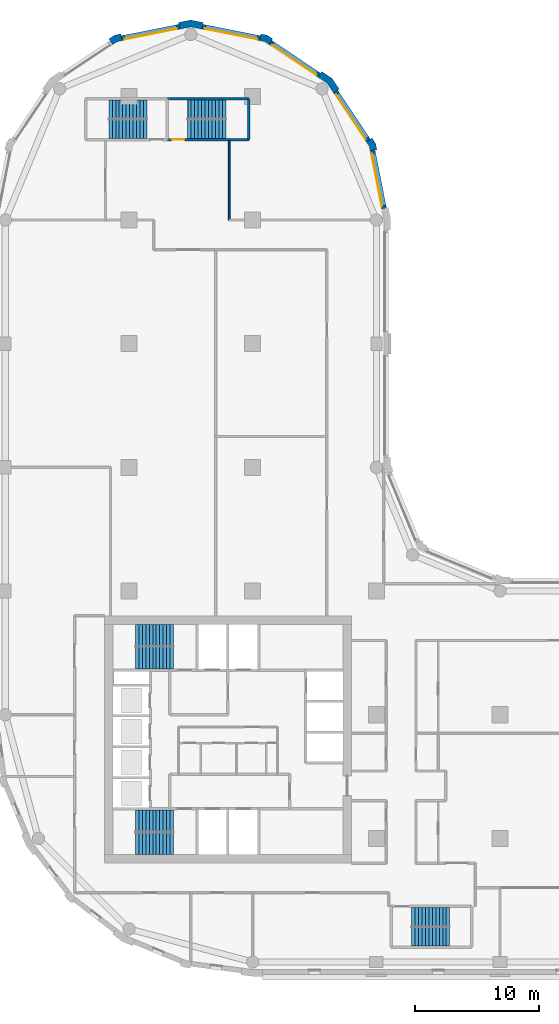
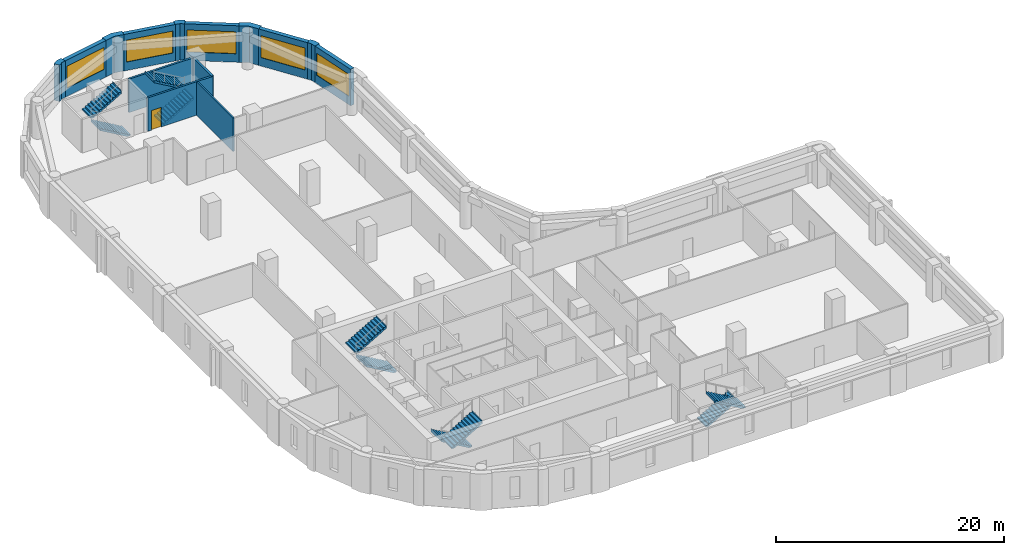
# One storey, part 7 of 9: 14 walls, 10 stair flights, 5 windows, 1 door, 6 openings, 5 elements without a shape of their own.
"""IFC4 building model written with IfcOpenShell, lengths in metres."""

from ifc_helpers import new_model, si_unit, direction, frame, frame_2d, origin, place, context, subcontext, project, spatial, polyline, rectangle, outline, extrude, material, layer, layer_set, type_object, element, fill, aggregate, save


model = new_model("IFC4")

# Units and contexts
model_context = context("Model", 3, precision=1e-05, world=origin(), true_north=direction((0.0, 1.0)))
body_context = subcontext(model_context, "Body", "Model", "MODEL_VIEW")
ifc_project = project(units=[si_unit("LENGTHUNIT", "METRE"), si_unit("AREAUNIT", "SQUARE_METRE"), si_unit("VOLUMEUNIT", "CUBIC_METRE"), si_unit("PLANEANGLEUNIT", "RADIAN"), si_unit("MASSUNIT", "GRAM", prefix="KILO")], contexts=[model_context])

# Site, building, storey
site_placement = place(None, origin())
site = spatial("IfcSite", under=ifc_project, at=site_placement, CompositionType="ELEMENT")
building_placement = place(site_placement, origin())
building = spatial("IfcBuilding", under=site, at=building_placement, Name="Qaws Garden Tower", CompositionType="ELEMENT")
storey_placement = place(building_placement, frame((0.0, 0.0, 170.699951171875)))
storey = spatial("IfcBuildingStorey", under=building, at=storey_placement, Name="L41", CompositionType="ELEMENT", Elevation=170.699951171875)

# Wall, opening, window
ifc_material_1 = material(Name="Clay facing brick masonry", Category="masonry")
ifc_layer_1 = layer(ifc_material_1, 0.39990234375)
ifc_layer_set_1 = layer_set([ifc_layer_1], Name="Clay facing brick masonry")
wall_type_1 = type_object("IfcWallType", Name="Brick infill wall 400", PredefinedType="SOLIDWALL", material=ifc_layer_set_1)
wall_1_placement = place(storey_placement, frame((30.628662109375, 60.940673828125, 0.0), z_axis=(0.0, 0.0, 1.0), x_axis=(-0.195098533057, 0.98078364709, 0.0)))
wall_1 = element("IfcWall", 1, at=wall_1_placement, inside=storey, type_object=wall_type_1, Name="E-L41-infill-13", PredefinedType="SOLIDWALL", context=body_context, shape_type="SweptSolid", body=[
    extrude(rectangle(XDim=4.752685546875, YDim=0.39990234375, at=frame_2d((2.37646484375, 0.0))), origin(), (0.0, 0.0, 1.0), 3.900146484375),
])
opening_1_placement = place(wall_1_placement, frame((0.226318359375, 0.0, 0.89990234375)))
opening_1 = element("IfcOpeningElement", 2, at=opening_1_placement, cuts=wall_1, Name="Opening W06", PredefinedType="OPENING", context=body_context, shape_type="SweptSolid", body=[
    extrude(rectangle(XDim=4.300048828125, YDim=2.35009765625, at=frame_2d((2.14990234375, 1.175048828125))), frame((0.0, 0.2099609375, 0.0), z_axis=(0.0, -1.0, 0.0), x_axis=(1.0, 0.0, 0.0)), (0.0, 0.0, 1.0), 0.419921875),
])
ifc_material_2 = material(Name="Aluminium framed window, clear glazing", Category="aluminium")
window_type = type_object("IfcWindowType", Name="Ribbon window 4300 x 2350", PartitioningType="DOUBLE_PANEL_VERTICAL", PredefinedType="WINDOW", material=ifc_material_2)
window_1_placement = place(opening_1_placement, origin())
window_1 = element("IfcWindow", 3, at=window_1_placement, inside=storey, type_object=window_type, Name="E-L41-window-13-0", OverallHeight=2.35009765625, OverallWidth=4.300048828125, PartitioningType="SINGLE_PANEL", PredefinedType="WINDOW", context=body_context, shape_type="SweptSolid", body=[
    extrude(rectangle(XDim=4.300048828125, YDim=2.35009765625, at=frame_2d((2.14990234375, 1.175048828125))), frame((0.0, 0.159912109375, 0.0), z_axis=(0.0, -1.0, 0.0), x_axis=(1.0, 0.0, 0.0)), (0.0, 0.0, 1.0), 0.06005859375),
])
fill(opening_1, window_1)

wall_2_placement = place(storey_placement, frame((29.356689453125, 66.43408203125, 0.0), z_axis=(0.0, 0.0, 1.0), x_axis=(-0.555541552266, 0.831488775454, 0.0)))
wall_2 = element("IfcWall", 4, at=wall_2_placement, inside=storey, type_object=wall_type_1, Name="E-L41-infill-14", PredefinedType="SOLIDWALL", context=body_context, shape_type="SweptSolid", body=[
    extrude(rectangle(XDim=4.752685546875, YDim=0.39990234375, at=frame_2d((2.37646484375, 0.0))), origin(), (0.0, 0.0, 1.0), 3.900146484375),
])
opening_2_placement = place(wall_2_placement, frame((0.226318359375, 0.0, 0.89990234375)))
opening_2 = element("IfcOpeningElement", 5, at=opening_2_placement, cuts=wall_2, Name="Opening W06", PredefinedType="OPENING", context=body_context, shape_type="SweptSolid", body=[
    extrude(rectangle(XDim=4.300048828125, YDim=2.35009765625, at=frame_2d((2.14990234375, 1.175048828125))), frame((0.0, 0.2099609375, 0.0), z_axis=(0.0, -1.0, 0.0), x_axis=(1.0, 0.0, 0.0)), (0.0, 0.0, 1.0), 0.419921875),
])
window_2_placement = place(opening_2_placement, origin())
window_2 = element("IfcWindow", 6, at=window_2_placement, inside=storey, type_object=window_type, Name="E-L41-window-14-0", OverallHeight=2.35009765625, OverallWidth=4.300048828125, PartitioningType="SINGLE_PANEL", PredefinedType="WINDOW", context=body_context, shape_type="SweptSolid", body=[
    extrude(rectangle(XDim=4.300048828125, YDim=2.35009765625, at=frame_2d((2.14990234375, 1.175048828125))), frame((0.0, 0.159912109375, 0.0), z_axis=(0.0, -1.0, 0.0), x_axis=(1.0, 0.0, 0.0)), (0.0, 0.0, 1.0), 0.06005859375),
])
fill(opening_2, window_2)

wall_3_placement = place(storey_placement, frame((25.385986328125, 71.71630859375, 0.0), z_axis=(0.0, 0.0, 1.0), x_axis=(-0.831488775454, 0.555541552266, 0.0)))
wall_3 = element("IfcWall", 7, at=wall_3_placement, inside=storey, type_object=wall_type_1, Name="E-L41-infill-15", PredefinedType="SOLIDWALL", context=body_context, shape_type="SweptSolid", body=[
    extrude(rectangle(XDim=4.752685546875, YDim=0.39990234375, at=frame_2d((2.37646484375, 0.0))), origin(), (0.0, 0.0, 1.0), 3.900146484375),
])
opening_3_placement = place(wall_3_placement, frame((0.226318359375, 0.0, 0.89990234375)))
opening_3 = element("IfcOpeningElement", 8, at=opening_3_placement, cuts=wall_3, Name="Opening W06", PredefinedType="OPENING", context=body_context, shape_type="SweptSolid", body=[
    extrude(rectangle(XDim=4.300048828125, YDim=2.35009765625, at=frame_2d((2.14990234375, 1.175048828125))), frame((0.0, 0.2099609375, 0.0), z_axis=(0.0, -1.0, 0.0), x_axis=(1.0, 0.0, 0.0)), (0.0, 0.0, 1.0), 0.419921875),
])
window_3_placement = place(opening_3_placement, origin())
window_3 = element("IfcWindow", 9, at=window_3_placement, inside=storey, type_object=window_type, Name="E-L41-window-15-0", OverallHeight=2.35009765625, OverallWidth=4.300048828125, PartitioningType="SINGLE_PANEL", PredefinedType="WINDOW", context=body_context, shape_type="SweptSolid", body=[
    extrude(rectangle(XDim=4.300048828125, YDim=2.35009765625, at=frame_2d((2.14990234375, 1.175048828125))), frame((0.0, 0.159912109375, 0.0), z_axis=(0.0, -1.0, 0.0), x_axis=(1.0, 0.0, 0.0)), (0.0, 0.0, 1.0), 0.06005859375),
])
fill(opening_3, window_3)

wall_4_placement = place(storey_placement, frame((20.60205078125, 74.701416015625, 0.0), z_axis=(0.0, 0.0, 1.0), x_axis=(-0.98078364709, 0.195098533057, 0.0)))
wall_4 = element("IfcWall", 10, at=wall_4_placement, inside=storey, type_object=wall_type_1, Name="E-L41-infill-16", PredefinedType="SOLIDWALL", context=body_context, shape_type="SweptSolid", body=[
    extrude(rectangle(XDim=4.752685546875, YDim=0.39990234375, at=frame_2d((2.37646484375, 0.0))), origin(), (0.0, 0.0, 1.0), 3.900146484375),
])
opening_4_placement = place(wall_4_placement, frame((0.226318359375, 0.0, 0.89990234375)))
opening_4 = element("IfcOpeningElement", 11, at=opening_4_placement, cuts=wall_4, Name="Opening W06", PredefinedType="OPENING", context=body_context, shape_type="SweptSolid", body=[
    extrude(rectangle(XDim=4.300048828125, YDim=2.35009765625, at=frame_2d((2.14990234375, 1.175048828125))), frame((0.0, 0.2099609375, 0.0), z_axis=(0.0, -1.0, 0.0), x_axis=(1.0, 0.0, 0.0)), (0.0, 0.0, 1.0), 0.419921875),
])
window_4_placement = place(opening_4_placement, origin())
window_4 = element("IfcWindow", 12, at=window_4_placement, inside=storey, type_object=window_type, Name="E-L41-window-16-0", OverallHeight=2.35009765625, OverallWidth=4.300048828125, PartitioningType="SINGLE_PANEL", PredefinedType="WINDOW", context=body_context, shape_type="SweptSolid", body=[
    extrude(rectangle(XDim=4.300048828125, YDim=2.35009765625, at=frame_2d((2.14990234375, 1.175048828125))), frame((0.0, 0.159912109375, 0.0), z_axis=(0.0, -1.0, 0.0), x_axis=(1.0, 0.0, 0.0)), (0.0, 0.0, 1.0), 0.06005859375),
])
fill(opening_4, window_4)

wall_5_placement = place(storey_placement, frame((14.059326171875, 75.628662109375, 0.0), z_axis=(0.0, 0.0, 1.0), x_axis=(-0.98078364709, -0.195098533057, 0.0)))
wall_5 = element("IfcWall", 13, at=wall_5_placement, inside=storey, type_object=wall_type_1, Name="E-L41-infill-17", PredefinedType="SOLIDWALL", context=body_context, shape_type="SweptSolid", body=[
    extrude(rectangle(XDim=4.752685546875, YDim=0.39990234375, at=frame_2d((2.37646484375, 0.0))), origin(), (0.0, 0.0, 1.0), 3.900146484375),
])
opening_5_placement = place(wall_5_placement, frame((0.226318359375, 0.0, 0.89990234375)))
opening_5 = element("IfcOpeningElement", 14, at=opening_5_placement, cuts=wall_5, Name="Opening W06", PredefinedType="OPENING", context=body_context, shape_type="SweptSolid", body=[
    extrude(rectangle(XDim=4.300048828125, YDim=2.35009765625, at=frame_2d((2.14990234375, 1.175048828125))), frame((0.0, 0.2099609375, 0.0), z_axis=(0.0, -1.0, 0.0), x_axis=(1.0, 0.0, 0.0)), (0.0, 0.0, 1.0), 0.419921875),
])
window_5_placement = place(opening_5_placement, origin())
window_5 = element("IfcWindow", 15, at=window_5_placement, inside=storey, type_object=window_type, Name="E-L41-window-17-0", OverallHeight=2.35009765625, OverallWidth=4.300048828125, PartitioningType="SINGLE_PANEL", PredefinedType="WINDOW", context=body_context, shape_type="SweptSolid", body=[
    extrude(rectangle(XDim=4.300048828125, YDim=2.35009765625, at=frame_2d((2.14990234375, 1.175048828125))), frame((0.0, 0.159912109375, 0.0), z_axis=(0.0, -1.0, 0.0), x_axis=(1.0, 0.0, 0.0)), (0.0, 0.0, 1.0), 0.06005859375),
])
fill(opening_5, window_5)

# Walls
ifc_material_3 = material(Name="Clay facing brick masonry", Category="masonry")
ifc_layer_2 = layer(ifc_material_3, 0.550048828125)
ifc_layer_set_2 = layer_set([ifc_layer_2], Name="Clay facing brick masonry")
wall_type_2 = type_object("IfcWallType", Name="Brick kink pier 550 x 600", PredefinedType="SOLIDWALL", material=ifc_layer_set_2)
placement = place(storey_placement, origin())
element("IfcWall", 16, at=placement, inside=storey, type_object=wall_type_2, Name="E-L41-pier-14", PredefinedType="SOLIDWALL", context=body_context, shape_type="SweptSolid", body=[
    extrude(outline(polyline([(29.8974609375, 65.64111328125), (30.044677734375, 65.67041015625), (29.94140625, 66.18896484375), (29.647705078125, 66.628662109375), (29.52294921875, 66.545166015625), (29.1904296875, 66.322998046875), (29.42333984375, 65.974365234375), (29.505126953125, 65.56298828125), (29.8974609375, 65.64111328125)])), origin(), (0.0, 0.0, 1.0), 3.900146484375),
])
element("IfcWall", 17, at=placement, inside=storey, type_object=wall_type_2, Name="E-L41-pier-16", PredefinedType="SOLIDWALL", context=body_context, shape_type="SweptSolid", body=[
    extrude(outline(polyline([(21.545166015625, 74.52294921875), (21.628662109375, 74.647705078125), (21.18896484375, 74.94140625), (20.67041015625, 75.044677734375), (20.64111328125, 74.8974609375), (20.56298828125, 74.505126953125), (20.974365234375, 74.42333984375), (21.322998046875, 74.1904296875), (21.545166015625, 74.52294921875)])), origin(), (0.0, 0.0, 1.0), 3.900146484375),
])
element("IfcWall", 18, at=placement, inside=storey, type_object=wall_type_2, Name="E-L41-pier-18", PredefinedType="SOLIDWALL", context=body_context, shape_type="SweptSolid", body=[
    extrude(outline(polyline([(9.35888671875, 74.8974609375), (9.32958984375, 75.044677734375), (8.81103515625, 74.94140625), (8.371337890625, 74.647705078125), (8.454833984375, 74.52294921875), (8.677001953125, 74.1904296875), (9.025634765625, 74.42333984375), (9.43701171875, 74.505126953125), (9.35888671875, 74.8974609375)])), origin(), (0.0, 0.0, 1.0), 3.900146484375),
])
ifc_material_4 = material(Name="Clay facing brick masonry", Category="masonry")
ifc_layer_3 = layer(ifc_material_4, 0.550048828125)
ifc_layer_set_3 = layer_set([ifc_layer_3], Name="Clay facing brick masonry")
wall_type_3 = type_object("IfcWallType", Name="Brick pier 550 x 1600", PredefinedType="SOLIDWALL", material=ifc_layer_set_3)
element("IfcWall", 19, at=placement, inside=storey, type_object=wall_type_3, Name="E-L41-pier-15", PredefinedType="SOLIDWALL", context=body_context, shape_type="SweptSolid", body=[
    extrude(outline(polyline([(26.882568359375, 70.4970703125), (27.00732421875, 70.580322265625), (26.435791015625, 71.435791015625), (25.580322265625, 72.00732421875), (25.4970703125, 71.882568359375), (25.274658203125, 71.550048828125), (26.0390625, 71.0390625), (26.550048828125, 70.274658203125), (26.882568359375, 70.4970703125)])), origin(), (0.0, 0.0, 1.0), 3.900146484375),
])
element("IfcWall", 20, at=placement, inside=storey, type_object=wall_type_3, Name="E-L41-pier-17", PredefinedType="SOLIDWALL", context=body_context, shape_type="SweptSolid", body=[
    extrude(outline(polyline([(15.979736328125, 75.82470703125), (16.009033203125, 75.971923828125), (15.0, 76.172607421875), (13.990966796875, 75.971923828125), (14.020263671875, 75.82470703125), (14.098388671875, 75.432373046875), (15.0, 75.61181640625), (15.901611328125, 75.432373046875), (15.979736328125, 75.82470703125)])), origin(), (0.0, 0.0, 1.0), 3.900146484375),
])

# Wall, opening, door
ifc_material_5 = material(Name="Concrete C70", Category="concrete")
ifc_layer_4 = layer(ifc_material_5, 0.199951171875)
ifc_layer_set_4 = layer_set([ifc_layer_4], Name="Concrete C70")
wall_type_4 = type_object("IfcWallType", Name="Core shaft wall 200 C70", PredefinedType="SHEAR", material=ifc_layer_set_4)
wall_11_placement = place(storey_placement, frame((13.10009765625, 66.5, 0.0), z_axis=(0.0, 0.0, 1.0), x_axis=(1.0, 0.0, 0.0)))
wall_11 = element("IfcWall", 21, at=wall_11_placement, inside=storey, type_object=wall_type_4, Name="Shaft wall", PredefinedType="SHEAR", context=body_context, shape_type="SweptSolid", body=[
    extrude(rectangle(XDim=6.599853515625, YDim=0.199951171875, at=frame_2d((3.2998046875, 0.0))), origin(), (0.0, 0.0, 1.0), 3.580078125),
])
opening_6_placement = place(wall_11_placement, frame((0.375, 0.0, 0.0)))
opening_6 = element("IfcOpeningElement", 22, at=opening_6_placement, cuts=wall_11, Name="Opening SD14", PredefinedType="OPENING", context=body_context, shape_type="SweptSolid", body=[
    extrude(rectangle(XDim=1.0, YDim=2.10009765625, at=frame_2d((0.5, 1.050048828125))), frame((0.0, 0.10986328125, 0.0), z_axis=(0.0, -1.0, 0.0), x_axis=(1.0, 0.0, 0.0)), (0.0, 0.0, 1.0), 0.219970703125),
])
ifc_material_6 = material(Name="Steel S235", Category="steel")
door_type = type_object("IfcDoorType", Name="Stair door 1000x2100", OperationType="SINGLE_SWING_RIGHT", PredefinedType="DOOR", material=ifc_material_6)
door_placement = place(opening_6_placement, origin())
door = element("IfcDoor", 23, at=door_placement, inside=storey, type_object=door_type, Name="Stair 7 door", OperationType="SINGLE_SWING_LEFT", OverallHeight=2.10009765625, OverallWidth=1.0, PredefinedType="DOOR", context=body_context, shape_type="SweptSolid", body=[
    extrude(rectangle(XDim=1.0, YDim=2.10009765625, at=frame_2d((0.5, 1.050048828125))), frame((0.0, 0.02490234375, 0.0), z_axis=(0.0, -1.0, 0.0), x_axis=(1.0, 0.0, 0.0)), (0.0, 0.0, 1.0), 0.050048828125),
])
fill(opening_6, door)

# Walls
wall_12_placement = place(storey_placement, frame((13.10009765625, 69.800048828125, 0.0), z_axis=(0.0, 0.0, 1.0), x_axis=(1.0, 0.0, 0.0)))
element("IfcWall", 24, at=wall_12_placement, inside=storey, type_object=wall_type_4, Name="Shaft wall", PredefinedType="SHEAR", context=body_context, shape_type="SweptSolid", body=[
    extrude(rectangle(XDim=6.599853515625, YDim=0.199951171875, at=frame_2d((3.2998046875, 0.0))), origin(), (0.0, 0.0, 1.0), 3.580078125),
])
wall_13_placement = place(storey_placement, frame((19.699951171875, 66.5, 0.0), z_axis=(0.0, 0.0, 1.0), x_axis=(0.0, 1.0, 0.0)))
element("IfcWall", 25, at=wall_13_placement, inside=storey, type_object=wall_type_4, Name="Shaft wall", PredefinedType="SHEAR", context=body_context, shape_type="SweptSolid", body=[
    extrude(rectangle(XDim=3.300048828125, YDim=0.199951171875, at=frame_2d((1.64990234375, 0.0))), origin(), (0.0, 0.0, 1.0), 3.580078125),
])
ifc_material_7 = material(Name="Gypsum board partition")
ifc_layer_5 = layer(ifc_material_7, 0.14990234375)
ifc_layer_set_5 = layer_set([ifc_layer_5], Name="Gypsum board partition")
wall_type_5 = type_object("IfcWallType", Name="PARTITION 150 EI 60", PredefinedType="PARTITIONING", material=ifc_layer_set_5)
wall_14_placement = place(storey_placement, frame((18.10009765625, 60.0, 0.0), z_axis=(0.0, 0.0, 1.0), x_axis=(0.0, 1.0, 0.0)))
element("IfcWall", 26, at=wall_14_placement, inside=storey, type_object=wall_type_5, Name="O-L41-wall-012", PredefinedType="PARTITIONING", context=body_context, shape_type="SweptSolid", body=[
    extrude(rectangle(XDim=6.39990234375, YDim=0.14990234375, at=frame_2d((3.199951171875, 0.0))), origin(), (0.0, 0.0, 1.0), 3.580078125),
])

# Stair, stair flights
ifc_material_8 = material(Name="Concrete C40", Category="concrete")
stair_type_1 = type_object("IfcStairType", Name="Exit stair 1350", PredefinedType="HALF_TURN_STAIR", material=ifc_material_8)
stair_1 = element("IfcStair", 27, at=placement, inside=storey, type_object=stair_type_1, Name="Stair 5", PredefinedType="HALF_TURN_STAIR")
ifc_material_9 = material(Name="Concrete C40", Category="concrete")
stair_flight_type_1 = type_object("IfcStairFlightType", Name="Stair flight 1350", PredefinedType="STRAIGHT", material=ifc_material_9)
stair_flight_1_placement = place(storey_placement, frame((32.85009765625, 3.625, 0.0), z_axis=(0.0, 0.0, 1.0), x_axis=(1.0, 0.0, 0.0)))
stair_flight_1 = element("IfcStairFlight", 28, at=stair_flight_1_placement, type_object=stair_flight_type_1, Name="ST5 flight 1", NumberOfRisers=12, NumberOfTreads=11, PredefinedType="STRAIGHT", RiserHeight=0.1625, TreadLength=0.28, context=body_context, shape_type="SweptSolid", body=[
    extrude(outline(polyline([(-0.0029296875, 0.0), (-0.0029296875, 0.16259765625), (0.0, 0.16259765625), (0.280029296875, 0.16259765625), (0.280029296875, 0.324951171875), (0.56005859375, 0.324951171875), (0.56005859375, 0.487548828125), (0.840087890625, 0.487548828125), (0.840087890625, 0.64990234375), (1.1201171875, 0.64990234375), (1.1201171875, 0.8125), (1.39990234375, 0.8125), (1.39990234375, 0.97509765625), (1.679931640625, 0.97509765625), (1.679931640625, 1.137451171875), (1.9599609375, 1.137451171875), (1.9599609375, 1.300048828125), (2.239990234375, 1.300048828125), (2.239990234375, 1.46240234375), (2.52001953125, 1.46240234375), (2.52001953125, 1.625), (2.800048828125, 1.625), (2.800048828125, 1.78759765625), (3.080078125, 1.78759765625), (3.080078125, 1.949951171875), (3.0830078125, 1.949951171875), (3.0830078125, 1.6142578125), (3.080078125, 1.6142578125), (0.298583984375, 0.0), (-0.0029296875, 0.0)])), frame((0.0, 0.77490234375, 0.0), z_axis=(0.0, -1.0, 0.0), x_axis=(1.0, 0.0, 0.0)), (0.0, 0.0, 1.0), 1.550048828125),
])
stair_flight_2_placement = place(storey_placement, frame((35.929931640625, 2.074951171875, 1.949951171875), z_axis=(0.0, 0.0, 1.0), x_axis=(-1.0, 0.0, 0.0)))
stair_flight_2 = element("IfcStairFlight", 29, at=stair_flight_2_placement, type_object=stair_flight_type_1, Name="ST5 flight 2", NumberOfRisers=12, NumberOfTreads=11, PredefinedType="STRAIGHT", RiserHeight=0.1625, TreadLength=0.28, context=body_context, shape_type="SweptSolid", body=[
    extrude(outline(polyline([(-0.0029296875, 0.0), (-0.0029296875, 0.16259765625), (0.0, 0.16259765625), (0.280029296875, 0.16259765625), (0.280029296875, 0.324951171875), (0.56005859375, 0.324951171875), (0.56005859375, 0.487548828125), (0.840087890625, 0.487548828125), (0.840087890625, 0.64990234375), (1.1201171875, 0.64990234375), (1.1201171875, 0.8125), (1.39990234375, 0.8125), (1.39990234375, 0.97509765625), (1.679931640625, 0.97509765625), (1.679931640625, 1.137451171875), (1.9599609375, 1.137451171875), (1.9599609375, 1.300048828125), (2.239990234375, 1.300048828125), (2.239990234375, 1.46240234375), (2.52001953125, 1.46240234375), (2.52001953125, 1.625), (2.800048828125, 1.625), (2.800048828125, 1.78759765625), (3.080078125, 1.78759765625), (3.080078125, 1.949951171875), (3.0830078125, 1.949951171875), (3.0830078125, 1.6142578125), (3.080078125, 1.6142578125), (0.298583984375, 0.0), (-0.0029296875, 0.0)])), frame((0.0, 0.77490234375, 0.0), z_axis=(0.0, -1.0, 0.0), x_axis=(1.0, 0.0, 0.0)), (0.0, 0.0, 1.0), 1.550048828125),
])
aggregate(stair_1, [stair_flight_1, stair_flight_2])

stair_2 = element("IfcStair", 30, at=placement, inside=storey, type_object=stair_type_1, Name="Stair 6", PredefinedType="HALF_TURN_STAIR")
stair_flight_3_placement = place(storey_placement, frame((11.449951171875, 67.375, 0.0), z_axis=(0.0, 0.0, 1.0), x_axis=(-1.0, 0.0, 0.0)))
stair_flight_3 = element("IfcStairFlight", 31, at=stair_flight_3_placement, type_object=stair_flight_type_1, Name="ST6 flight 1", NumberOfRisers=12, NumberOfTreads=11, PredefinedType="STRAIGHT", RiserHeight=0.1625, TreadLength=0.28, context=body_context, shape_type="SweptSolid", body=[
    extrude(outline(polyline([(-0.0029296875, 0.0), (-0.0029296875, 0.16259765625), (0.0, 0.16259765625), (0.280029296875, 0.16259765625), (0.280029296875, 0.324951171875), (0.56005859375, 0.324951171875), (0.56005859375, 0.487548828125), (0.840087890625, 0.487548828125), (0.840087890625, 0.64990234375), (1.1201171875, 0.64990234375), (1.1201171875, 0.8125), (1.39990234375, 0.8125), (1.39990234375, 0.97509765625), (1.679931640625, 0.97509765625), (1.679931640625, 1.137451171875), (1.9599609375, 1.137451171875), (1.9599609375, 1.300048828125), (2.239990234375, 1.300048828125), (2.239990234375, 1.46240234375), (2.52001953125, 1.46240234375), (2.52001953125, 1.625), (2.800048828125, 1.625), (2.800048828125, 1.78759765625), (3.080078125, 1.78759765625), (3.080078125, 1.949951171875), (3.0830078125, 1.949951171875), (3.0830078125, 1.6142578125), (3.080078125, 1.6142578125), (0.298583984375, 0.0), (-0.0029296875, 0.0)])), frame((0.0, 0.77490234375, 0.0), z_axis=(0.0, -1.0, 0.0), x_axis=(1.0, 0.0, 0.0)), (0.0, 0.0, 1.0), 1.550048828125),
])
stair_flight_4_placement = place(storey_placement, frame((8.3701171875, 68.925048828125, 1.949951171875), z_axis=(0.0, 0.0, 1.0), x_axis=(1.0, 0.0, 0.0)))
stair_flight_4 = element("IfcStairFlight", 32, at=stair_flight_4_placement, type_object=stair_flight_type_1, Name="ST6 flight 2", NumberOfRisers=12, NumberOfTreads=11, PredefinedType="STRAIGHT", RiserHeight=0.1625, TreadLength=0.28, context=body_context, shape_type="SweptSolid", body=[
    extrude(outline(polyline([(-0.0029296875, 0.0), (-0.0029296875, 0.16259765625), (0.0, 0.16259765625), (0.280029296875, 0.16259765625), (0.280029296875, 0.324951171875), (0.56005859375, 0.324951171875), (0.56005859375, 0.487548828125), (0.840087890625, 0.487548828125), (0.840087890625, 0.64990234375), (1.1201171875, 0.64990234375), (1.1201171875, 0.8125), (1.39990234375, 0.8125), (1.39990234375, 0.97509765625), (1.679931640625, 0.97509765625), (1.679931640625, 1.137451171875), (1.9599609375, 1.137451171875), (1.9599609375, 1.300048828125), (2.239990234375, 1.300048828125), (2.239990234375, 1.46240234375), (2.52001953125, 1.46240234375), (2.52001953125, 1.625), (2.800048828125, 1.625), (2.800048828125, 1.78759765625), (3.080078125, 1.78759765625), (3.080078125, 1.949951171875), (3.0830078125, 1.949951171875), (3.0830078125, 1.6142578125), (3.080078125, 1.6142578125), (0.298583984375, 0.0), (-0.0029296875, 0.0)])), frame((0.0, 0.77490234375, 0.0), z_axis=(0.0, -1.0, 0.0), x_axis=(1.0, 0.0, 0.0)), (0.0, 0.0, 1.0), 1.550048828125),
])
aggregate(stair_2, [stair_flight_3, stair_flight_4])

stair_3 = element("IfcStair", 33, at=placement, inside=storey, type_object=stair_type_1, Name="Stair 7", PredefinedType="HALF_TURN_STAIR")
stair_flight_5_placement = place(storey_placement, frame((14.75, 67.375, 0.0), z_axis=(0.0, 0.0, 1.0), x_axis=(1.0, 0.0, 0.0)))
stair_flight_5 = element("IfcStairFlight", 34, at=stair_flight_5_placement, type_object=stair_flight_type_1, Name="ST7 flight 1", NumberOfRisers=12, NumberOfTreads=11, PredefinedType="STRAIGHT", RiserHeight=0.1625, TreadLength=0.28, context=body_context, shape_type="SweptSolid", body=[
    extrude(outline(polyline([(-0.0029296875, 0.0), (-0.0029296875, 0.16259765625), (0.0, 0.16259765625), (0.280029296875, 0.16259765625), (0.280029296875, 0.324951171875), (0.56005859375, 0.324951171875), (0.56005859375, 0.487548828125), (0.840087890625, 0.487548828125), (0.840087890625, 0.64990234375), (1.1201171875, 0.64990234375), (1.1201171875, 0.8125), (1.39990234375, 0.8125), (1.39990234375, 0.97509765625), (1.679931640625, 0.97509765625), (1.679931640625, 1.137451171875), (1.9599609375, 1.137451171875), (1.9599609375, 1.300048828125), (2.239990234375, 1.300048828125), (2.239990234375, 1.46240234375), (2.52001953125, 1.46240234375), (2.52001953125, 1.625), (2.800048828125, 1.625), (2.800048828125, 1.78759765625), (3.080078125, 1.78759765625), (3.080078125, 1.949951171875), (3.0830078125, 1.949951171875), (3.0830078125, 1.6142578125), (3.080078125, 1.6142578125), (0.298583984375, 0.0), (-0.0029296875, 0.0)])), frame((0.0, 0.77490234375, 0.0), z_axis=(0.0, -1.0, 0.0), x_axis=(1.0, 0.0, 0.0)), (0.0, 0.0, 1.0), 1.550048828125),
])
stair_flight_6_placement = place(storey_placement, frame((17.830078125, 68.925048828125, 1.949951171875), z_axis=(0.0, 0.0, 1.0), x_axis=(-1.0, 0.0, 0.0)))
stair_flight_6 = element("IfcStairFlight", 35, at=stair_flight_6_placement, type_object=stair_flight_type_1, Name="ST7 flight 2", NumberOfRisers=12, NumberOfTreads=11, PredefinedType="STRAIGHT", RiserHeight=0.1625, TreadLength=0.28, context=body_context, shape_type="SweptSolid", body=[
    extrude(outline(polyline([(-0.0029296875, 0.0), (-0.0029296875, 0.16259765625), (0.0, 0.16259765625), (0.280029296875, 0.16259765625), (0.280029296875, 0.324951171875), (0.56005859375, 0.324951171875), (0.56005859375, 0.487548828125), (0.840087890625, 0.487548828125), (0.840087890625, 0.64990234375), (1.1201171875, 0.64990234375), (1.1201171875, 0.8125), (1.39990234375, 0.8125), (1.39990234375, 0.97509765625), (1.679931640625, 0.97509765625), (1.679931640625, 1.137451171875), (1.9599609375, 1.137451171875), (1.9599609375, 1.300048828125), (2.239990234375, 1.300048828125), (2.239990234375, 1.46240234375), (2.52001953125, 1.46240234375), (2.52001953125, 1.625), (2.800048828125, 1.625), (2.800048828125, 1.78759765625), (3.080078125, 1.78759765625), (3.080078125, 1.949951171875), (3.0830078125, 1.949951171875), (3.0830078125, 1.6142578125), (3.080078125, 1.6142578125), (0.298583984375, 0.0), (-0.0029296875, 0.0)])), frame((0.0, 0.77490234375, 0.0), z_axis=(0.0, -1.0, 0.0), x_axis=(1.0, 0.0, 0.0)), (0.0, 0.0, 1.0), 1.550048828125),
])
aggregate(stair_3, [stair_flight_5, stair_flight_6])

ifc_material_10 = material(Name="Concrete C40", Category="concrete")
stair_type_2 = type_object("IfcStairType", Name="Exit stair 1500", PredefinedType="HALF_TURN_STAIR", material=ifc_material_10)
stair_4 = element("IfcStair", 36, at=placement, inside=storey, type_object=stair_type_2, Name="Stair 1", PredefinedType="HALF_TURN_STAIR")
ifc_material_11 = material(Name="Concrete C40", Category="concrete")
stair_flight_type_2 = type_object("IfcStairFlightType", Name="Stair flight 1500", PredefinedType="STRAIGHT", material=ifc_material_11)
stair_flight_7_placement = place(storey_placement, frame((13.60009765625, 11.39990234375, 0.0), z_axis=(0.0, 0.0, 1.0), x_axis=(-1.0, 0.0, 0.0)))
stair_flight_7 = element("IfcStairFlight", 37, at=stair_flight_7_placement, type_object=stair_flight_type_2, Name="ST1 flight 1", NumberOfRisers=12, NumberOfTreads=11, PredefinedType="STRAIGHT", RiserHeight=0.1625, TreadLength=0.28, context=body_context, shape_type="SweptSolid", body=[
    extrude(outline(polyline([(-0.0029296875, 0.0), (-0.0029296875, 0.16259765625), (0.0, 0.16259765625), (0.280029296875, 0.16259765625), (0.280029296875, 0.324951171875), (0.56005859375, 0.324951171875), (0.56005859375, 0.487548828125), (0.840087890625, 0.487548828125), (0.840087890625, 0.64990234375), (1.1201171875, 0.64990234375), (1.1201171875, 0.8125), (1.39990234375, 0.8125), (1.39990234375, 0.97509765625), (1.679931640625, 0.97509765625), (1.679931640625, 1.137451171875), (1.9599609375, 1.137451171875), (1.9599609375, 1.300048828125), (2.239990234375, 1.300048828125), (2.239990234375, 1.46240234375), (2.52001953125, 1.46240234375), (2.52001953125, 1.625), (2.800048828125, 1.625), (2.800048828125, 1.78759765625), (3.080078125, 1.78759765625), (3.080078125, 1.949951171875), (3.0830078125, 1.949951171875), (3.0830078125, 1.6142578125), (3.080078125, 1.6142578125), (0.298583984375, 0.0), (-0.0029296875, 0.0)])), frame((0.0, 0.89990234375, 0.0), z_axis=(0.0, -1.0, 0.0), x_axis=(1.0, 0.0, 0.0)), (0.0, 0.0, 1.0), 1.800048828125),
])
stair_flight_8_placement = place(storey_placement, frame((10.52001953125, 9.60009765625, 1.949951171875), z_axis=(0.0, 0.0, 1.0), x_axis=(1.0, 0.0, 0.0)))
stair_flight_8 = element("IfcStairFlight", 38, at=stair_flight_8_placement, type_object=stair_flight_type_2, Name="ST1 flight 2", NumberOfRisers=12, NumberOfTreads=11, PredefinedType="STRAIGHT", RiserHeight=0.1625, TreadLength=0.28, context=body_context, shape_type="SweptSolid", body=[
    extrude(outline(polyline([(-0.0029296875, 0.0), (-0.0029296875, 0.16259765625), (0.0, 0.16259765625), (0.280029296875, 0.16259765625), (0.280029296875, 0.324951171875), (0.56005859375, 0.324951171875), (0.56005859375, 0.487548828125), (0.840087890625, 0.487548828125), (0.840087890625, 0.64990234375), (1.1201171875, 0.64990234375), (1.1201171875, 0.8125), (1.39990234375, 0.8125), (1.39990234375, 0.97509765625), (1.679931640625, 0.97509765625), (1.679931640625, 1.137451171875), (1.9599609375, 1.137451171875), (1.9599609375, 1.300048828125), (2.239990234375, 1.300048828125), (2.239990234375, 1.46240234375), (2.52001953125, 1.46240234375), (2.52001953125, 1.625), (2.800048828125, 1.625), (2.800048828125, 1.78759765625), (3.080078125, 1.78759765625), (3.080078125, 1.949951171875), (3.0830078125, 1.949951171875), (3.0830078125, 1.6142578125), (3.080078125, 1.6142578125), (0.298583984375, 0.0), (-0.0029296875, 0.0)])), frame((0.0, 0.89990234375, 0.0), z_axis=(0.0, -1.0, 0.0), x_axis=(1.0, 0.0, 0.0)), (0.0, 0.0, 1.0), 1.800048828125),
])
aggregate(stair_4, [stair_flight_7, stair_flight_8])

stair_5 = element("IfcStair", 39, at=placement, inside=storey, type_object=stair_type_2, Name="Stair 4", PredefinedType="HALF_TURN_STAIR")
stair_flight_9_placement = place(storey_placement, frame((13.60009765625, 24.60009765625, 0.0), z_axis=(0.0, 0.0, 1.0), x_axis=(-1.0, 0.0, 0.0)))
stair_flight_9 = element("IfcStairFlight", 40, at=stair_flight_9_placement, type_object=stair_flight_type_2, Name="ST4 flight 1", NumberOfRisers=12, NumberOfTreads=11, PredefinedType="STRAIGHT", RiserHeight=0.1625, TreadLength=0.28, context=body_context, shape_type="SweptSolid", body=[
    extrude(outline(polyline([(-0.0029296875, 0.0), (-0.0029296875, 0.16259765625), (0.0, 0.16259765625), (0.280029296875, 0.16259765625), (0.280029296875, 0.324951171875), (0.56005859375, 0.324951171875), (0.56005859375, 0.487548828125), (0.840087890625, 0.487548828125), (0.840087890625, 0.64990234375), (1.1201171875, 0.64990234375), (1.1201171875, 0.8125), (1.39990234375, 0.8125), (1.39990234375, 0.97509765625), (1.679931640625, 0.97509765625), (1.679931640625, 1.137451171875), (1.9599609375, 1.137451171875), (1.9599609375, 1.300048828125), (2.239990234375, 1.300048828125), (2.239990234375, 1.46240234375), (2.52001953125, 1.46240234375), (2.52001953125, 1.625), (2.800048828125, 1.625), (2.800048828125, 1.78759765625), (3.080078125, 1.78759765625), (3.080078125, 1.949951171875), (3.0830078125, 1.949951171875), (3.0830078125, 1.6142578125), (3.080078125, 1.6142578125), (0.298583984375, 0.0), (-0.0029296875, 0.0)])), frame((0.0, 0.89501953125, 0.0), z_axis=(0.0, -1.0, 0.0), x_axis=(1.0, 0.0, 0.0)), (0.0, 0.0, 1.0), 1.7900390625),
])
stair_flight_10_placement = place(storey_placement, frame((10.52001953125, 26.39990234375, 1.949951171875), z_axis=(0.0, 0.0, 1.0), x_axis=(1.0, 0.0, 0.0)))
stair_flight_10 = element("IfcStairFlight", 41, at=stair_flight_10_placement, type_object=stair_flight_type_2, Name="ST4 flight 2", NumberOfRisers=12, NumberOfTreads=11, PredefinedType="STRAIGHT", RiserHeight=0.1625, TreadLength=0.28, context=body_context, shape_type="SweptSolid", body=[
    extrude(outline(polyline([(-0.0029296875, 0.0), (-0.0029296875, 0.16259765625), (0.0, 0.16259765625), (0.280029296875, 0.16259765625), (0.280029296875, 0.324951171875), (0.56005859375, 0.324951171875), (0.56005859375, 0.487548828125), (0.840087890625, 0.487548828125), (0.840087890625, 0.64990234375), (1.1201171875, 0.64990234375), (1.1201171875, 0.8125), (1.39990234375, 0.8125), (1.39990234375, 0.97509765625), (1.679931640625, 0.97509765625), (1.679931640625, 1.137451171875), (1.9599609375, 1.137451171875), (1.9599609375, 1.300048828125), (2.239990234375, 1.300048828125), (2.239990234375, 1.46240234375), (2.52001953125, 1.46240234375), (2.52001953125, 1.625), (2.800048828125, 1.625), (2.800048828125, 1.78759765625), (3.080078125, 1.78759765625), (3.080078125, 1.949951171875), (3.0830078125, 1.949951171875), (3.0830078125, 1.6142578125), (3.080078125, 1.6142578125), (0.298583984375, 0.0), (-0.0029296875, 0.0)])), frame((0.0, 0.89501953125, 0.0), z_axis=(0.0, -1.0, 0.0), x_axis=(1.0, 0.0, 0.0)), (0.0, 0.0, 1.0), 1.7900390625),
])
aggregate(stair_5, [stair_flight_9, stair_flight_10])

save(model, "model.ifc")
